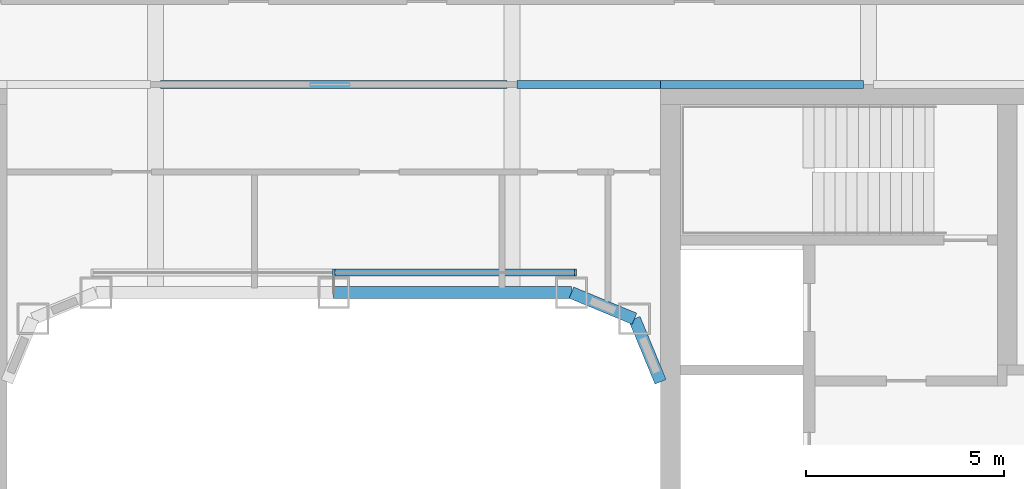
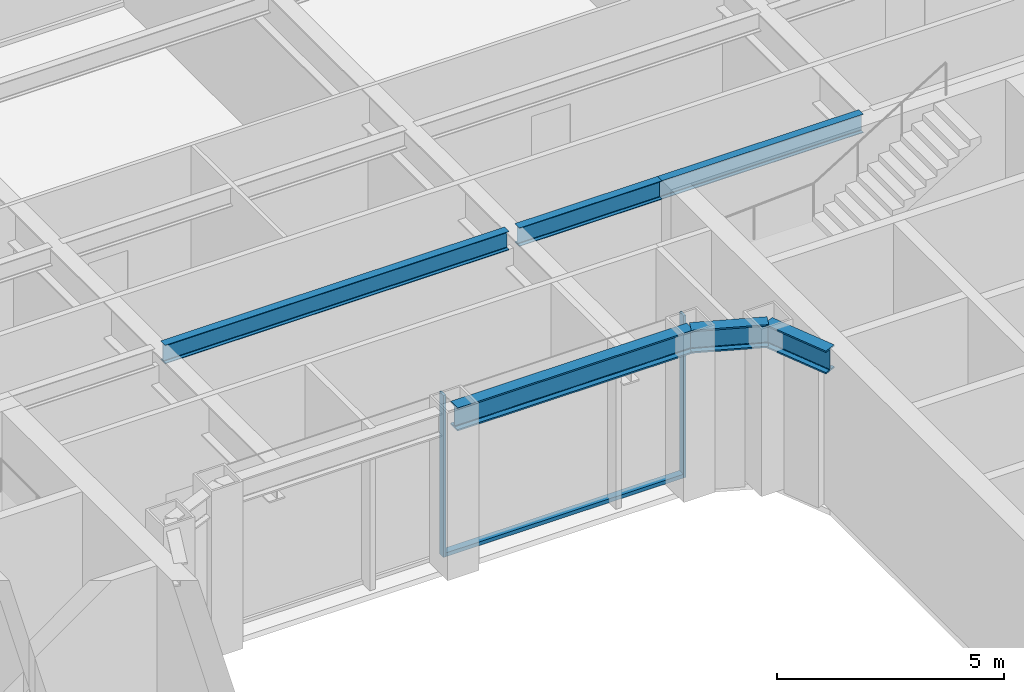
# One storey, part 8 of 24: 6 beams, 3 members, 1 element without a shape of its own.
"""IFC4 building model written with IfcOpenShell, lengths in metres."""

from ifc_helpers import new_model, si_unit, direction, frame, origin, origin_2d, place, context, subcontext, project, spatial, rectangle, i_section, extrude, material, layer, layer_set, material_profile, profile_set, type_object, element, aggregate, save


model = new_model("IFC4")

# Units and contexts
model_context = context("Model", 3, precision=1e-05, world=origin(), true_north=direction((0.0, 1.0)))
body_context = subcontext(model_context, "Body", "Model", "MODEL_VIEW")
ifc_project = project(units=[si_unit("LENGTHUNIT", "METRE"), si_unit("AREAUNIT", "SQUARE_METRE"), si_unit("VOLUMEUNIT", "CUBIC_METRE"), si_unit("PLANEANGLEUNIT", "RADIAN"), si_unit("MASSUNIT", "GRAM", prefix="KILO")], contexts=[model_context])

# Site, building, storey
site_placement = place(None, origin())
site = spatial("IfcSite", under=ifc_project, at=site_placement, CompositionType="ELEMENT")
building_placement = place(site_placement, origin())
building = spatial("IfcBuilding", under=site, at=building_placement, Name="Siwar Civic Tower", CompositionType="ELEMENT")
storey_placement = place(building_placement, frame((0.0, 0.0, 22.199951171875)))
storey = spatial("IfcBuildingStorey", under=building, at=storey_placement, Name="L04", CompositionType="ELEMENT", Elevation=22.199951171875)

# Curtain wall, members
ifc_material_1 = material(Name="Aluminium and glass", Category="aluminium")
ifc_layer = layer(ifc_material_1, 0.179931640625)
ifc_layer_set = layer_set([ifc_layer], Name="Aluminium and glass")
curtain_wall_type = type_object("IfcCurtainWallType", Name="ENV-CW-W", PredefinedType="NOTDEFINED", material=ifc_layer_set)
curtain_wall_placement = place(storey_placement, origin())
curtain_wall = element("IfcCurtainWall", 1, at=curtain_wall_placement, inside=storey, type_object=curtain_wall_type, Name="Curtain wall W WN", PredefinedType="NOTDEFINED")
ifc_material_2 = material(Name="Aluminium 6063-T6", Category="aluminium")
ifc_material_profile_1 = material_profile(ifc_material_2, rectangle(XDim=0.179931640625, YDim=0.06005859375, at=origin_2d()), Name="AL 180x60")
ifc_profile_set_1 = profile_set([ifc_material_profile_1], Name="Aluminium 6063-T6")
member_type_1 = type_object("IfcMemberType", Name="ENV-MULLION-W", PredefinedType="MULLION", material=ifc_profile_set_1)
member_1_placement = place(storey_placement, frame((6.1015625, 8.760009765625, 0.0), z_axis=(0.0, 0.0, 1.0), x_axis=(0.0, -1.0, 0.0)))
member_1 = element("IfcMember", 2, at=member_1_placement, type_object=member_type_1, Name="Mullion W WN 1", PredefinedType="MULLION", context=body_context, shape_type="SweptSolid", body=[
    extrude(rectangle(XDim=0.179931640625, YDim=0.06005859375, at=origin_2d()), origin(), (0.0, 0.0, 1.0), 4.35009765625),
])
member_2_placement = place(storey_placement, frame((0.0, 8.760009765625, 0.0), z_axis=(0.0, 0.0, 1.0), x_axis=(0.0, -1.0, 0.0)))
member_2 = element("IfcMember", 3, at=member_2_placement, type_object=member_type_1, Name="Mullion W WN 2", PredefinedType="MULLION", context=body_context, shape_type="SweptSolid", body=[
    extrude(rectangle(XDim=0.179931640625, YDim=0.06005859375, at=origin_2d()), origin(), (0.0, 0.0, 1.0), 4.35009765625),
])
ifc_material_3 = material(Name="Aluminium 6063-T6", Category="aluminium")
ifc_material_profile_2 = material_profile(ifc_material_3, rectangle(XDim=0.179931640625, YDim=0.10009765625, at=origin_2d()), Name="AL 180x100")
ifc_profile_set_2 = profile_set([ifc_material_profile_2], Name="Aluminium 6063-T6")
member_type_2 = type_object("IfcMemberType", Name="ENV-TRANSOM-W", PredefinedType="USERDEFINED", material=ifc_profile_set_2)
member_3_placement = place(storey_placement, frame((6.071533203125, 8.760009765625, 0.050048828125), z_axis=(-1.0, 0.0, 0.0), x_axis=(0.0, -1.0, 0.0)))
member_3 = element("IfcMember", 4, at=member_3_placement, type_object=member_type_2, Name="Transom W WN 1", ObjectType="TRANSOM", PredefinedType="USERDEFINED", context=body_context, shape_type="SweptSolid", body=[
    extrude(rectangle(XDim=0.179931640625, YDim=0.10009765625, at=origin_2d()), origin(), (0.0, 0.0, 1.0), 6.04150390625),
])
aggregate(curtain_wall, [member_1, member_2, member_3])

# Beams
ifc_material_4 = material(Name="Steel S355", Category="steel")
ifc_material_profile_3 = material_profile(ifc_material_4, i_section(OverallWidth=0.199951171875, OverallDepth=0.5, WebThickness=0.01025390625, FlangeThickness=0.01611328125, FilletRadius=0.02099609375, at=origin_2d()), Name="IPE500")
ifc_profile_set_3 = profile_set([ifc_material_profile_3], Name="Steel S355")
beam_type_1 = type_object("IfcBeamType", Name="STR-FB-IPE500", PredefinedType="JOIST", material=ifc_profile_set_3)
beam_1_placement = place(storey_placement, frame((-4.3701171875, 13.5, 4.10009765625), z_axis=(1.0, 0.0, 0.0), x_axis=(0.0, 1.0, 0.0)))
element("IfcBeam", 5, at=beam_1_placement, inside=storey, type_object=beam_type_1, Name="L04/bm/F041", PredefinedType="JOIST", context=body_context, shape_type="SweptSolid", body=[
    extrude(i_section(OverallWidth=0.199951171875, OverallDepth=0.5, WebThickness=0.01025390625, FlangeThickness=0.01611328125, FilletRadius=0.02099609375, at=origin_2d()), origin(), (0.0, 0.0, 1.0), 8.740234375),
])
beam_2_placement = place(storey_placement, frame((4.6298828125, 13.5, 4.10009765625), z_axis=(1.0, 0.0, 0.0), x_axis=(0.0, 1.0, 0.0)))
element("IfcBeam", 6, at=beam_2_placement, inside=storey, type_object=beam_type_1, Name="L04/bm/F042", PredefinedType="JOIST", context=body_context, shape_type="SweptSolid", body=[
    extrude(i_section(OverallWidth=0.199951171875, OverallDepth=0.5, WebThickness=0.01025390625, FlangeThickness=0.01611328125, FilletRadius=0.02099609375, at=origin_2d()), origin(), (0.0, 0.0, 1.0), 3.6201171875),
])
beam_3_placement = place(storey_placement, frame((8.25, 13.5, 4.10009765625), z_axis=(1.0, 0.0, 0.0), x_axis=(0.0, 1.0, 0.0)))
element("IfcBeam", 7, at=beam_3_placement, inside=storey, type_object=beam_type_1, Name="L04/bm/F043", PredefinedType="JOIST", context=body_context, shape_type="SweptSolid", body=[
    extrude(i_section(OverallWidth=0.199951171875, OverallDepth=0.5, WebThickness=0.01025390625, FlangeThickness=0.01611328125, FilletRadius=0.02099609375, at=origin_2d()), origin(), (0.0, 0.0, 1.0), 5.1201171875),
])
ifc_material_5 = material(Name="Steel S355", Category="steel")
ifc_material_profile_4 = material_profile(ifc_material_5, i_section(OverallWidth=0.304931640625, OverallDepth=0.6201171875, WebThickness=0.02099609375, FlangeThickness=0.0400390625, FilletRadius=0.027099609375, at=origin_2d()), Name="HEM600")
ifc_profile_set_4 = profile_set([ifc_material_profile_4], Name="Steel S355")
beam_type_2 = type_object("IfcBeamType", Name="STR-RB-HEM600", PredefinedType="BEAM", material=ifc_profile_set_4)
beam_4_placement = place(storey_placement, frame((0.0, 8.25, 4.0400390625), z_axis=(1.0, 0.0, 0.0), x_axis=(0.0, 1.0, 0.0)))
element("IfcBeam", 8, at=beam_4_placement, inside=storey, type_object=beam_type_2, Name="L04/bm/RN2", PredefinedType="BEAM", context=body_context, shape_type="SweptSolid", body=[
    extrude(i_section(OverallWidth=0.304931640625, OverallDepth=0.6201171875, WebThickness=0.02099609375, FlangeThickness=0.0400390625, FilletRadius=0.027099609375, at=origin_2d()), origin(), (0.0, 0.0, 1.0), 6.0),
])
for number, where, z_axis, x_axis, name in (
    (9, (6.0, 8.25, 4.0400390625), (0.923901072997, -0.382631424892, 0.0), (0.382631424892, 0.923901072997, 0.0), "L04/bm/RN3"),
    (10, (7.591064453125, 7.591064453125, 4.0400390625), (0.382631424892, -0.923901072997, 0.0), (0.923901072997, 0.382631424892, 0.0), "L04/bm/RNEE"),
):
    element("IfcBeam", number, at=place(storey_placement, frame(where, z_axis=z_axis, x_axis=x_axis)), inside=storey, type_object=beam_type_2, Name=name, PredefinedType="BEAM", context=body_context, shape_type="SweptSolid", body=[
        extrude(i_section(OverallWidth=0.304931640625, OverallDepth=0.6201171875, WebThickness=0.02099609375, FlangeThickness=0.0400390625, FilletRadius=0.027099609375, at=origin_2d()), origin(), (0.0, 0.0, 1.0), 1.72216796875),
    ])

save(model, "model.ifc")
